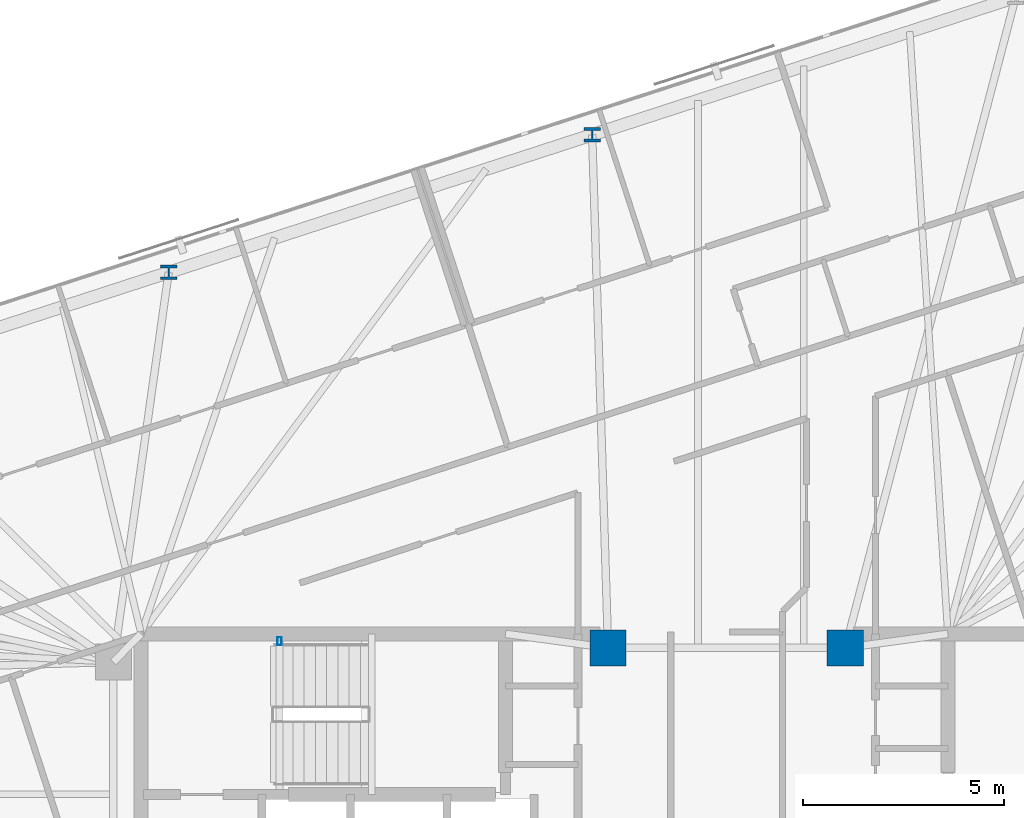
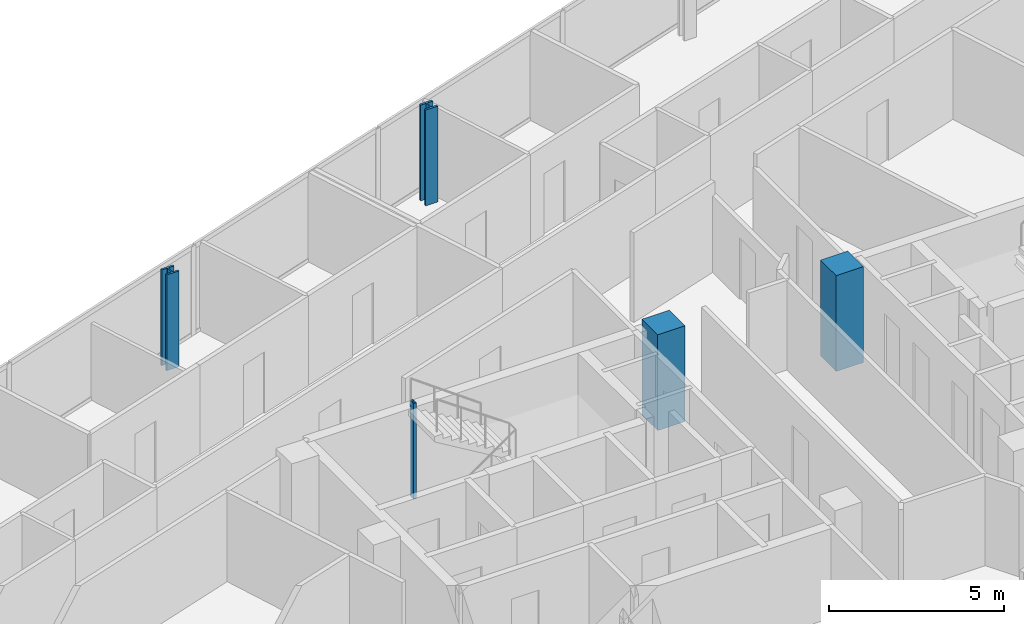
# One storey, part 2 of 20: 5 columns.
"""IFC4 building model written with IfcOpenShell, lengths in metres."""

import ifcopenshell
import ifcopenshell.guid

model = None  # the IFC model being written
_history = None  # IfcOwnerHistory: only IFC2X3 demands one
_inside = {}  # id of a spatial element -> (the spatial element, [elements in it])
_under = {}  # id of a project, library or spatial element -> (it, [spatial elements below it])
_declared = {}  # id of a project -> (the project, [libraries it declares])
_typed = {}  # id of a type object -> (the type object, [elements of that type])
_made_of = {}  # id of a material, layer set ... -> (it, [elements and type objects made of it])


def new_model(schema):
    """Start an empty IFC model of exactly this schema.

    Asked for "IFC4X3", IfcOpenShell would pick the latest addendum, in which some entities
    have other attributes; the version numbers below select the first issue.
    IFC2X3 requires an IfcOwnerHistory on every rooted entity: one is made here for all.
    """
    global model, _history
    if schema == "IFC4X3":
        model = ifcopenshell.file(schema_version=(4, 3, 0, 0))
    else:
        model = ifcopenshell.file(schema=schema)
    _inside.clear()
    _under.clear()
    _declared.clear()
    _typed.clear()
    _made_of.clear()
    _history = None
    if model.schema == "IFC2X3":
        org = make("IfcOrganization", Name="unknown")
        user = make(
            "IfcPersonAndOrganization",
            ThePerson=make("IfcPerson", FamilyName="unknown"),
            TheOrganization=org,
        )
        app = make(
            "IfcApplication",
            ApplicationDeveloper=org,
            Version="unknown",
            ApplicationFullName="unknown",
            ApplicationIdentifier="unknown",
        )
        _history = make(
            "IfcOwnerHistory",
            OwningUser=user,
            OwningApplication=app,
            ChangeAction="ADDED",
            CreationDate=0,
        )
    return model


def make(cls, **values):
    """One entity of the class cls with the attributes given. An attribute that is None is left unset."""
    return model.create_entity(
        cls, **{name: value for name, value in values.items() if value is not None}
    )


def rooted(cls, **values):
    """An entity with a GlobalId (a new one), such as an element, a storey or a relation."""
    return make(cls, GlobalId=ifcopenshell.guid.new(), OwnerHistory=_history, **values)


def si_unit(unit_type, name, prefix=None):
    """IfcSIUnit, for example si_unit("LENGTHUNIT", "METRE", prefix="MILLI")."""
    return make("IfcSIUnit", UnitType=unit_type, Prefix=prefix, Name=name)


def assignment(units):
    """IfcUnitAssignment: the units of a project."""
    return None if units is None else make("IfcUnitAssignment", Units=units)


def point(xyz):
    """IfcCartesianPoint."""
    return None if xyz is None else make("IfcCartesianPoint", Coordinates=xyz)


def direction(xyz):
    """IfcDirection."""
    return None if xyz is None else make("IfcDirection", DirectionRatios=xyz)


def frame(location, z_axis=None, x_axis=None):
    """IfcAxis2Placement3D, a coordinate frame: its origin and axes. An axis left out is left unset."""
    return make(
        "IfcAxis2Placement3D",
        Location=point(location),
        Axis=direction(z_axis),
        RefDirection=direction(x_axis),
    )


def frame_2d(location, x_axis=None):
    """IfcAxis2Placement2D, a coordinate frame in the plane: its origin and x axis."""
    return make(
        "IfcAxis2Placement2D", Location=point(location), RefDirection=direction(x_axis)
    )


def origin():
    """The frame at (0, 0, 0) with its axes left unset."""
    return frame((0.0, 0.0, 0.0))


def origin_2d():
    """The frame at (0, 0) in the plane with its x axis left unset."""
    return frame_2d((0.0, 0.0))


def place(relative_to, where):
    """IfcLocalPlacement: puts the frame where relative to a parent placement (None: the world)."""
    return make(
        "IfcLocalPlacement", PlacementRelTo=relative_to, RelativePlacement=where
    )


def context(
    kind, dimensions, precision=None, world=None, true_north=None, identifier=None
):
    """IfcGeometricRepresentationContext, for example the 3D "Model" context."""
    return make(
        "IfcGeometricRepresentationContext",
        ContextIdentifier=identifier,
        ContextType=kind,
        CoordinateSpaceDimension=dimensions,
        Precision=precision,
        WorldCoordinateSystem=world,
        TrueNorth=true_north,
    )


def subcontext(parent, identifier, kind, view, scale=None):
    """IfcGeometricRepresentationSubContext, for example "Body" below "Model"."""
    return make(
        "IfcGeometricRepresentationSubContext",
        ContextIdentifier=identifier,
        ContextType=kind,
        ParentContext=parent,
        TargetScale=scale,
        TargetView=view,
    )


def project(units=None, contexts=None):
    """IfcProject with its units and contexts."""
    return rooted(
        "IfcProject",
        Name="project",
        RepresentationContexts=contexts,
        UnitsInContext=assignment(units),
    )


def spatial(cls, under=None, at=None, **own):
    """A site, building, storey or space (cls), placed at a placement, below another one or the project."""
    s = rooted(cls, ObjectPlacement=at, **own)
    if under is not None:
        _under.setdefault(under.id(), (under, []))[1].append(s)
    return s


def profile(cls, at=None, kind="AREA", **sizes):
    """A parametric profile (cls). Its sizes go by their IFC names, for example OverallWidth=200.0."""
    return make(cls, ProfileType=kind, Position=at, **sizes)


def rectangle(**sizes):
    """IfcRectangleProfileDef."""
    return profile("IfcRectangleProfileDef", **sizes)


def hollow_rectangle(**sizes):
    """IfcRectangleHollowProfileDef."""
    return profile("IfcRectangleHollowProfileDef", **sizes)


def i_section(**sizes):
    """IfcIShapeProfileDef."""
    return profile("IfcIShapeProfileDef", **sizes)


def extrude(swept, where, along, depth):
    """IfcExtrudedAreaSolid: the profile swept, set in the frame where, extruded along a direction by depth."""
    return make(
        "IfcExtrudedAreaSolid",
        SweptArea=swept,
        Position=where,
        ExtrudedDirection=direction(along),
        Depth=depth,
    )


def shape(context_of_items, identifier, shape_type, items):
    """IfcShapeRepresentation: the items that make up one representation, for example the "Body"."""
    return make(
        "IfcShapeRepresentation",
        ContextOfItems=context_of_items,
        RepresentationIdentifier=identifier,
        RepresentationType=shape_type,
        Items=items,
    )


def material(Name=None, Category=None):
    """IfcMaterial."""
    return make("IfcMaterial", Name=Name, Category=Category)


def material_profile(
    of_material, cross_section, Name=None, Category=None, Priority=None
):
    """IfcMaterialProfile: a cross section and its material."""
    return make(
        "IfcMaterialProfile",
        Name=Name,
        Material=of_material,
        Profile=cross_section,
        Priority=Priority,
        Category=Category,
    )


def profile_set(profiles, Name=None, composite=None):
    """IfcMaterialProfileSet."""
    return make(
        "IfcMaterialProfileSet",
        Name=Name,
        MaterialProfiles=profiles,
        CompositeProfile=composite,
    )


def made_of(thing, what):
    """Note that an element or type object is made of a material, layer set ...; save() writes the relation."""
    if what is not None:
        _made_of.setdefault(what.id(), (what, []))[1].append(thing)
    return thing


def type_object(cls, material=None, **own):
    """A type object (cls), such as IfcWallType, which elements share."""
    return made_of(rooted(cls, **own), material)


def element(
    cls,
    number,
    at=None,
    inside=None,
    cuts=None,
    type_object=None,
    material=None,
    context=None,
    identifier="Body",
    shape_type=None,
    held_by="IfcProductDefinitionShape",
    body=None,
    shapes=None,
    **own,
):
    """One element of the class cls, such as IfcWall. Its Tag is "e" and its number.

    at: its placement. inside: the storey or other place that contains it. cuts: it is an
    opening in that element (IfcRelVoidsElement). A single representation is given by context,
    identifier, shape_type and body (its items); several are given by shapes. held_by: the class
    of the entity that holds the representations. save() writes the other relations.
    """
    e = rooted(cls, Tag="e%d" % number, ObjectPlacement=at, **own)
    if body is not None:
        shapes = [shape(context, identifier, shape_type, body)]
    if shapes is not None:
        e.Representation = make(held_by, Representations=shapes)
    if inside is not None:
        _inside.setdefault(inside.id(), (inside, []))[1].append(e)
    if cuts is not None:
        rooted(
            "IfcRelVoidsElement", RelatingBuildingElement=cuts, RelatedOpeningElement=e
        )
    if type_object is not None:
        _typed.setdefault(type_object.id(), (type_object, []))[1].append(e)
    return made_of(e, material)


def aggregate(whole, parts):
    """IfcRelAggregates: a whole, such as a stair, and the parts it consists of."""
    return rooted("IfcRelAggregates", RelatingObject=whole, RelatedObjects=parts)


def save(model, path):
    """Write the relations noted so far, then the file.

    IfcRelAggregates (storeys below a building ...), IfcRelContainedInSpatialStructure (elements
    in a storey), IfcRelDefinesByType, IfcRelAssociatesMaterial and IfcRelDeclares: one each for
    every whole, place, type object, material and project.
    """
    for whole, parts in _under.values():
        aggregate(whole, parts)
    for where, things in _inside.values():
        rooted(
            "IfcRelContainedInSpatialStructure",
            RelatedElements=things,
            RelatingStructure=where,
        )
    for kind, things in _typed.values():
        rooted("IfcRelDefinesByType", RelatedObjects=things, RelatingType=kind)
    for what, things in _made_of.values():
        rooted("IfcRelAssociatesMaterial", RelatedObjects=things, RelatingMaterial=what)
    for by, libraries in _declared.values():
        rooted("IfcRelDeclares", RelatingContext=by, RelatedDefinitions=libraries)
    model.write(path)


model = new_model("IFC4")

# Units and contexts
model_context = context("Model", 3, precision=1e-05, world=origin(), true_north=direction((0.0, 1.0)))
body_context = subcontext(model_context, "Body", "Model", "MODEL_VIEW")
ifc_project = project(units=[si_unit("LENGTHUNIT", "METRE"), si_unit("AREAUNIT", "SQUARE_METRE"), si_unit("VOLUMEUNIT", "CUBIC_METRE"), si_unit("PLANEANGLEUNIT", "RADIAN"), si_unit("MASSUNIT", "GRAM", prefix="KILO")], contexts=[model_context])

# Site, building, storey
site_placement = place(None, origin())
site = spatial("IfcSite", under=ifc_project, at=site_placement, CompositionType="ELEMENT")
building_placement = place(site_placement, origin())
building = spatial("IfcBuilding", under=site, at=building_placement, Name="Menara Jurai Vektor", CompositionType="ELEMENT")
storey_placement = place(building_placement, frame((0.0, 0.0, 247.75)))
storey = spatial("IfcBuildingStorey", under=building, at=storey_placement, Name="L66", CompositionType="ELEMENT", Elevation=247.75)

# Columns
ifc_material_1 = material(Name="Concrete C50/60", Category="concrete")
ifc_material_profile_1 = material_profile(ifc_material_1, rectangle(XDim=0.89990234375, YDim=0.89990234375, at=origin_2d()), Name="RC 900x900")
ifc_profile_set_1 = profile_set([ifc_material_profile_1], Name="Concrete C50/60")
column_type_1 = type_object("IfcColumnType", Name="STR-COL-RC900", PredefinedType="COLUMN", material=ifc_profile_set_1)
for number, where, z_axis, x_axis, name in (
    (1, (-2.949951171875, 5.25, 0.0), (0.0, 0.0, 1.0), (1.0, 0.0, 0.0), "Core Spine Column CW-NE L66"),
    (2, (2.949951171875, 5.25, 0.0), (0.0, 0.0, 1.0), (1.0, 0.0, 0.0), "Core Spine Column CE-NW L66"),
):
    element("IfcColumn", number, at=place(storey_placement, frame(where, z_axis=z_axis, x_axis=x_axis)), inside=storey, type_object=column_type_1, Name=name, PredefinedType="COLUMN", context=body_context, shape_type="SweptSolid", body=[
        extrude(rectangle(XDim=0.89990234375, YDim=0.89990234375, at=origin_2d()), origin(), (0.0, 0.0, 1.0), 3.35009765625),
    ])
ifc_material_2 = material(Name="Steel S355", Category="steel")
ifc_material_profile_2 = material_profile(ifc_material_2, hollow_rectangle(XDim=0.10009765625, YDim=0.199951171875, WallThickness=0.008056640625, at=origin_2d()), Name="RHS 200x100x8")
ifc_profile_set_2 = profile_set([ifc_material_profile_2], Name="Steel S355")
column_type_2 = type_object("IfcColumnType", Name="STR-COL-STAIR", PredefinedType="COLUMN", material=ifc_profile_set_2)
column_placement = place(storey_placement, frame((-11.1201171875, 5.419921875, 0.0), z_axis=(0.0, 0.0, 1.0), x_axis=(1.0, 0.0, 0.0)))
element("IfcColumn", 3, at=column_placement, inside=storey, type_object=column_type_2, Name="Stair Well Header Column ST1-P2 L66", PredefinedType="COLUMN", context=body_context, shape_type="SweptSolid", body=[
    extrude(hollow_rectangle(XDim=0.10009765625, YDim=0.199951171875, WallThickness=0.008056640625, at=origin_2d()), origin(), (0.0, 0.0, 1.0), 3.35009765625),
])
ifc_material_3 = material(Name="Steel S460", Category="steel")
ifc_material_profile_3 = material_profile(ifc_material_3, i_section(OverallWidth=0.405029296875, OverallDepth=0.35498046875, WebThickness=0.0419921875, FlangeThickness=0.068115234375, FilletRadius=0.014892578125, at=origin_2d()), Name="HD 400x551")
ifc_profile_set_3 = profile_set([ifc_material_profile_3], Name="Steel S460")
column_type_3 = type_object("IfcColumnType", Name="STR-EXO-BLK4", PredefinedType="COLUMN", material=ifc_profile_set_3)
for number, where, z_axis, x_axis, name in (
    (4, (-3.345703125, 18.008544921875, 0.0), (0.0, 0.0, 1.0), (1.0, 0.0, 0.0), "Exoskeleton Column BLK4-N3 L66"),
    (5, (-13.875, 14.58740234375, 0.0), (0.0, 0.0, 1.0), (1.0, 0.0, 0.0), "Exoskeleton Column BLK4-N4 L66"),
):
    element("IfcColumn", number, at=place(storey_placement, frame(where, z_axis=z_axis, x_axis=x_axis)), inside=storey, type_object=column_type_3, Name=name, PredefinedType="COLUMN", context=body_context, shape_type="SweptSolid", body=[
        extrude(i_section(OverallWidth=0.405029296875, OverallDepth=0.35498046875, WebThickness=0.0419921875, FlangeThickness=0.068115234375, FilletRadius=0.014892578125, at=origin_2d()), origin(), (0.0, 0.0, 1.0), 3.35009765625),
    ])

save(model, "model.ifc")
